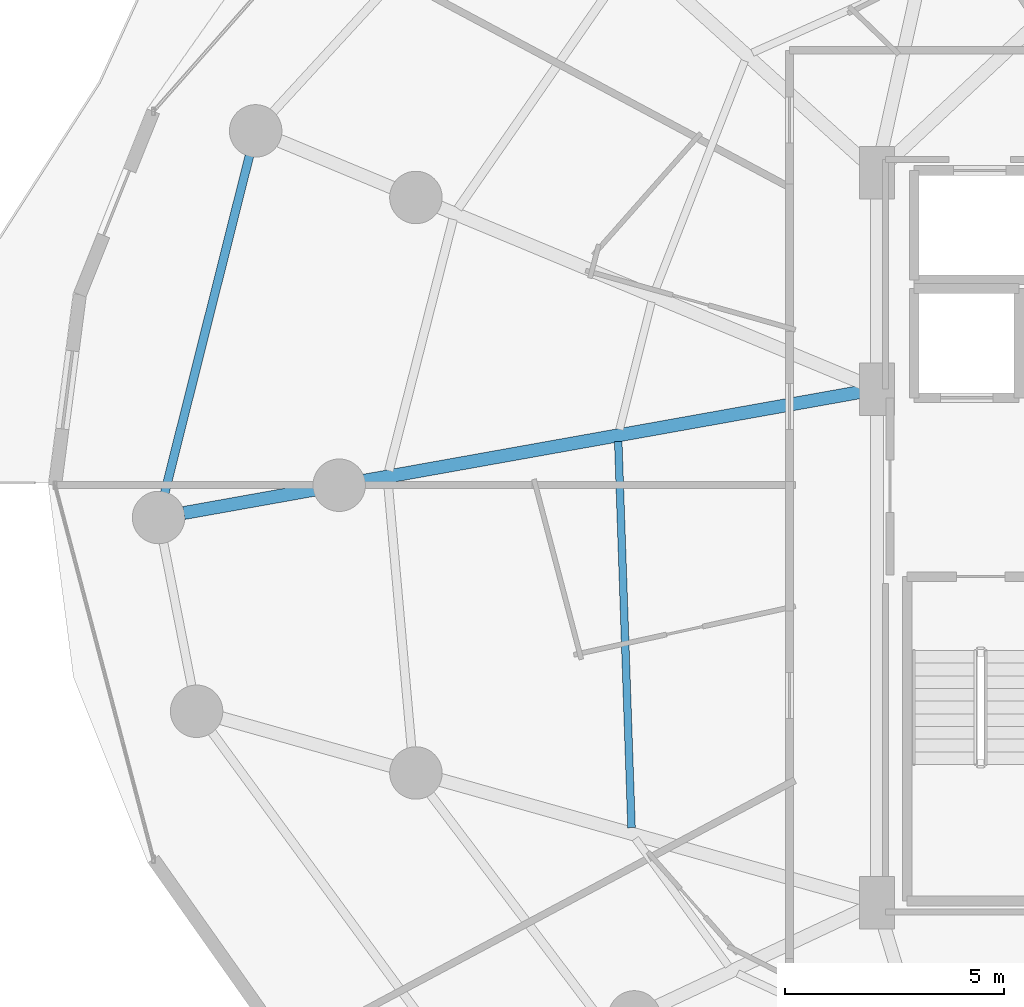
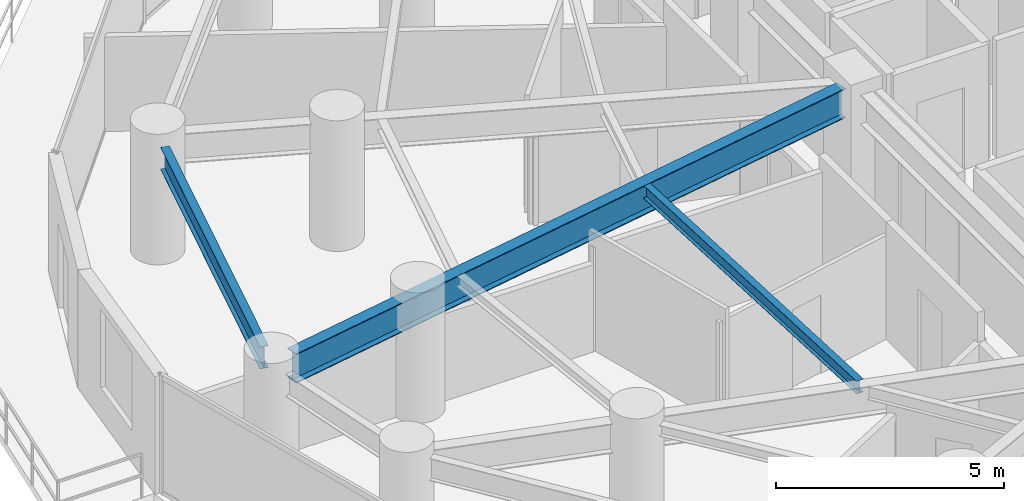
# One storey, part 9 of 34: 3 beams.
"""IFC4 building model written with IfcOpenShell, lengths in metres."""

from ifc_helpers import new_model, si_unit, direction, frame, origin, origin_2d, place, context, subcontext, project, spatial, i_section, extrude, material, material_profile, profile_set, type_object, element, save


model = new_model("IFC4")

# Units and contexts
model_context = context("Model", 3, precision=1e-05, world=origin(), true_north=direction((0.0, 1.0)))
body_context = subcontext(model_context, "Body", "Model", "MODEL_VIEW")
ifc_project = project(units=[si_unit("LENGTHUNIT", "METRE"), si_unit("AREAUNIT", "SQUARE_METRE"), si_unit("VOLUMEUNIT", "CUBIC_METRE"), si_unit("PLANEANGLEUNIT", "RADIAN"), si_unit("MASSUNIT", "GRAM", prefix="KILO")], contexts=[model_context])

# Site, building, storey
site_placement = place(None, origin())
site = spatial("IfcSite", under=ifc_project, at=site_placement, CompositionType="ELEMENT")
building_placement = place(site_placement, origin())
building = spatial("IfcBuilding", under=site, at=building_placement, Name="Vorneva Point Tower", CompositionType="ELEMENT")
storey_placement = place(building_placement, frame((0.0, 0.0, 66.0)))
storey = spatial("IfcBuildingStorey", under=building, at=storey_placement, Name="L17", CompositionType="ELEMENT", Elevation=66.0)

# Beams
ifc_material = material(Name="Steel S355", Category="steel")
ifc_material_profile_1 = material_profile(ifc_material, i_section(OverallWidth=0.300048828125, OverallDepth=0.7880859375, WebThickness=0.014404296875, FlangeThickness=0.02197265625, at=origin_2d()), Name="80Sh1")
ifc_profile_set_1 = profile_set([ifc_material_profile_1], Name="Steel S355")
beam_type_1 = type_object("IfcBeamType", Name="BM-GRD-80Sh1", PredefinedType="USERDEFINED", material=ifc_profile_set_1)
beam_1_placement = place(storey_placement, frame((11.396728515625, 25.364501953125, 2.756103515625), z_axis=(0.984378532035, 0.176065060895, 0.0), x_axis=(-0.176065060895, 0.984378532035, 0.0)))
element("IfcBeam", 1, at=beam_1_placement, inside=storey, type_object=beam_type_1, Name="L17 Radial Primary Girder 09", ObjectType="GIRDER", PredefinedType="USERDEFINED", context=body_context, shape_type="SweptSolid", body=[
    extrude(i_section(OverallWidth=0.300048828125, OverallDepth=0.7880859375, WebThickness=0.014404296875, FlangeThickness=0.02197265625, at=origin_2d()), origin(), (0.0, 0.0, 1.0), 15.764892578125),
])
ifc_material_profile_2 = material_profile(ifc_material, i_section(OverallWidth=0.174072265625, OverallDepth=0.345947265625, WebThickness=0.006103515625, FlangeThickness=0.009033203125, at=origin_2d()), Name="35B1")
ifc_profile_set_2 = profile_set([ifc_material_profile_2], Name="Steel S355")
beam_type_2 = type_object("IfcBeamType", Name="BM-SEC-35B1", PredefinedType="BEAM", material=ifc_profile_set_2)
beam_2_placement = place(storey_placement, frame((21.333251953125, 27.0029296875, 2.97705078125), z_axis=(0.034376685705, -0.999408947068, 0.0), x_axis=(0.999408947068, 0.034376685705, 0.0)))
element("IfcBeam", 2, at=beam_2_placement, inside=storey, type_object=beam_type_2, Name="L17 Secondary Floor Beam 2.09", PredefinedType="BEAM", context=body_context, shape_type="SweptSolid", body=[
    extrude(i_section(OverallWidth=0.174072265625, OverallDepth=0.345947265625, WebThickness=0.006103515625, FlangeThickness=0.009033203125, at=origin_2d()), origin(), (0.0, 0.0, 1.0), 8.841796875),
])
ifc_material_profile_3 = material_profile(ifc_material, i_section(OverallWidth=0.198974609375, OverallDepth=0.595947265625, WebThickness=0.010009765625, FlangeThickness=0.014892578125, at=origin_2d()), Name="60B1")
ifc_profile_set_3 = profile_set([ifc_material_profile_3], Name="Steel S355")
beam_type_3 = type_object("IfcBeamType", Name="BM-SPN-60B1", PredefinedType="SPANDREL", material=ifc_profile_set_3)
beam_3_placement = place(storey_placement, frame((12.896484375, 33.5380859375, 2.85205078125), z_axis=(-0.243554441672, -0.969887227435, 0.0), x_axis=(0.969887227435, -0.243554441672, 0.0)))
element("IfcBeam", 3, at=beam_3_placement, inside=storey, type_object=beam_type_3, Name="L17 Perimeter Spandrel Ring Beam 08", PredefinedType="SPANDREL", context=body_context, shape_type="SweptSolid", body=[
    extrude(i_section(OverallWidth=0.198974609375, OverallDepth=0.595947265625, WebThickness=0.010009765625, FlangeThickness=0.014892578125, at=origin_2d()), origin(), (0.0, 0.0, 1.0), 7.948974609375),
])

save(model, "model.ifc")
